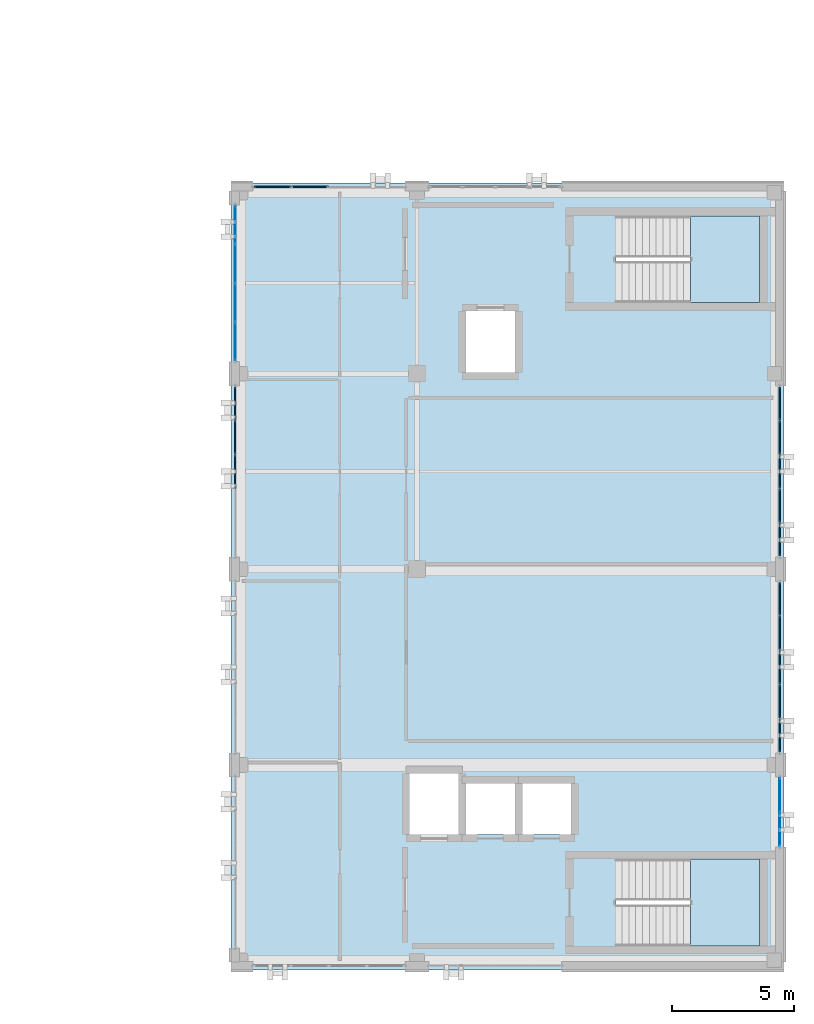
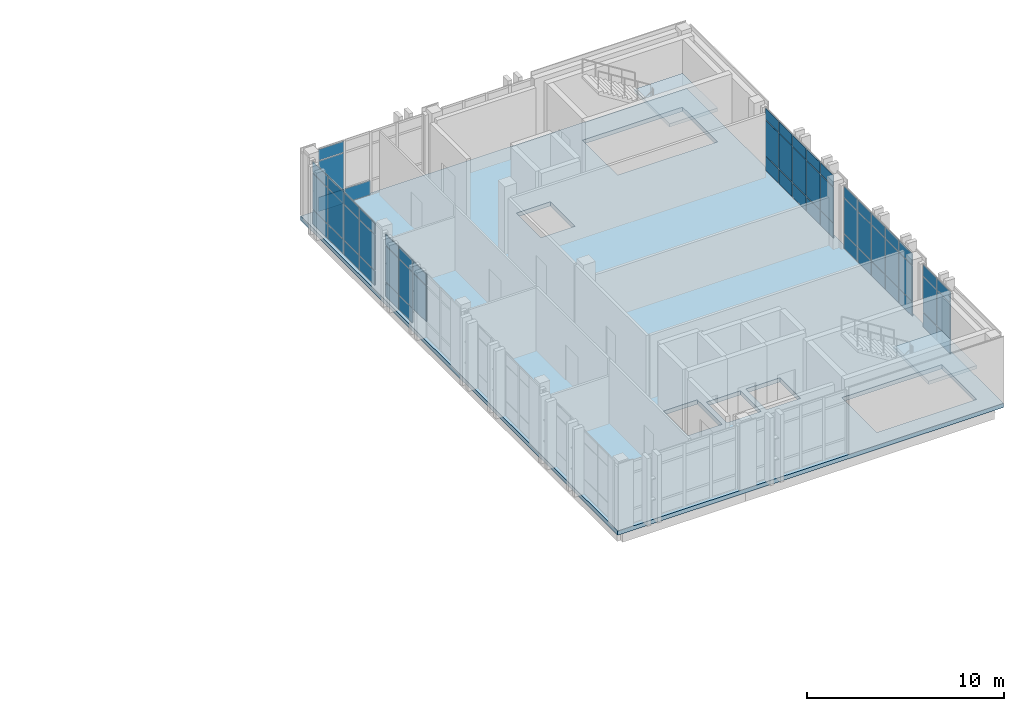
# One storey, part 15 of 22: 60 plates, 3 slabs, 8 elements without a shape of their own.
"""IFC4 building model written with IfcOpenShell, lengths in metres."""

from ifc_helpers import new_model, si_unit, direction, frame, origin, origin_2d, place, context, subcontext, project, spatial, polyline, rectangle, outline, extrude, material, layer, layer_set, type_object, element, aggregate, save


model = new_model("IFC4")

# Units and contexts
model_context = context("Model", 3, precision=1e-05, world=origin(), true_north=direction((0.0, 1.0)))
body_context = subcontext(model_context, "Body", "Model", "MODEL_VIEW")
ifc_project = project(units=[si_unit("LENGTHUNIT", "METRE"), si_unit("AREAUNIT", "SQUARE_METRE"), si_unit("VOLUMEUNIT", "CUBIC_METRE"), si_unit("PLANEANGLEUNIT", "RADIAN"), si_unit("MASSUNIT", "GRAM", prefix="KILO")], contexts=[model_context])

# Site, building, storey
site_placement = place(None, origin())
site = spatial("IfcSite", under=ifc_project, at=site_placement, CompositionType="ELEMENT")
building_placement = place(site_placement, origin())
building = spatial("IfcBuilding", under=site, at=building_placement, Name="Qalavern Law Courts", CompositionType="ELEMENT")
storey_placement = place(building_placement, frame((0.0, 0.0, 35.39990234375)))
storey = spatial("IfcBuildingStorey", under=building, at=storey_placement, Name="L08", CompositionType="ELEMENT", Elevation=35.39990234375)

# Curtain wall, plates
ifc_material_1 = material(Name="Anodised aluminium and insulated glazing", Category="aluminium")
ifc_layer_1 = layer(ifc_material_1, 0.159912109375)
ifc_layer_set_1 = layer_set([ifc_layer_1], Name="Anodised aluminium and insulated glazing")
curtain_wall_type = type_object("IfcCurtainWallType", Name="ENV-CW-CHAMB", PredefinedType="USERDEFINED", material=ifc_layer_set_1)
curtain_wall_1_placement = place(storey_placement, origin())
curtain_wall_1 = element("IfcCurtainWall", 1, at=curtain_wall_1_placement, inside=storey, type_object=curtain_wall_type, Name="V4 unitised curtain wall L08 east 1", ObjectType="UNITISED CURTAIN WALL", PredefinedType="USERDEFINED")
ifc_material_2 = material(Name="Insulated low-E acoustic glazing", Category="glass")
ifc_layer_2 = layer(ifc_material_2, 0.0400390625)
ifc_layer_set_2 = layer_set([ifc_layer_2], Name="Insulated low-E acoustic glazing")
plate_type_1 = type_object("IfcPlateType", Name="ENV-CWP-40", PredefinedType="CURTAIN_PANEL", material=ifc_layer_set_2)
plate_1_placement = place(storey_placement, frame((106.6298828125, 46.7744140625, 0.048095703125), z_axis=(0.0, 0.0, 1.0), x_axis=(0.0, 1.0, 0.0)))
plate_1 = element("IfcPlate", 2, at=plate_1_placement, type_object=plate_type_1, Name="CW-04 panel 1.1", PredefinedType="CURTAIN_PANEL", context=body_context, shape_type="SweptSolid", body=[
    extrude(rectangle(XDim=1.35302734375, YDim=0.0400390625, at=origin_2d()), origin(), (0.0, 0.0, 1.0), 0.8779296875),
])
plate_2_placement = place(storey_placement, frame((106.6298828125, 46.7744140625, 0.97412109375), z_axis=(0.0, 0.0, 1.0), x_axis=(0.0, 1.0, 0.0)))
plate_2 = element("IfcPlate", 3, at=plate_2_placement, type_object=plate_type_1, Name="CW-04 panel 1.2", PredefinedType="CURTAIN_PANEL", context=body_context, shape_type="SweptSolid", body=[
    extrude(rectangle(XDim=1.35302734375, YDim=0.0400390625, at=origin_2d()), origin(), (0.0, 0.0, 1.0), 2.197021484375),
])
plate_3_placement = place(storey_placement, frame((106.6298828125, 46.7744140625, 3.21923828125), z_axis=(0.0, 0.0, 1.0), x_axis=(0.0, 1.0, 0.0)))
plate_3 = element("IfcPlate", 4, at=plate_3_placement, type_object=plate_type_1, Name="CW-04 panel 1.3", PredefinedType="CURTAIN_PANEL", context=body_context, shape_type="SweptSolid", body=[
    extrude(rectangle(XDim=1.35302734375, YDim=0.0400390625, at=origin_2d()), origin(), (0.0, 0.0, 1.0), 0.677978515625),
])
plate_4_placement = place(storey_placement, frame((106.6298828125, 48.175537109375, 0.048095703125), z_axis=(0.0, 0.0, 1.0), x_axis=(0.0, 1.0, 0.0)))
plate_4 = element("IfcPlate", 5, at=plate_4_placement, type_object=plate_type_1, Name="CW-04 panel 2.1", PredefinedType="CURTAIN_PANEL", context=body_context, shape_type="SweptSolid", body=[
    extrude(rectangle(XDim=1.35302734375, YDim=0.0400390625, at=origin_2d()), origin(), (0.0, 0.0, 1.0), 0.8779296875),
])
plate_5_placement = place(storey_placement, frame((106.6298828125, 48.175537109375, 0.97412109375), z_axis=(0.0, 0.0, 1.0), x_axis=(0.0, 1.0, 0.0)))
plate_5 = element("IfcPlate", 6, at=plate_5_placement, type_object=plate_type_1, Name="CW-04 panel 2.2", PredefinedType="CURTAIN_PANEL", context=body_context, shape_type="SweptSolid", body=[
    extrude(rectangle(XDim=1.35302734375, YDim=0.0400390625, at=origin_2d()), origin(), (0.0, 0.0, 1.0), 2.197021484375),
])
plate_6_placement = place(storey_placement, frame((106.6298828125, 48.175537109375, 3.21923828125), z_axis=(0.0, 0.0, 1.0), x_axis=(0.0, 1.0, 0.0)))
plate_6 = element("IfcPlate", 7, at=plate_6_placement, type_object=plate_type_1, Name="CW-04 panel 2.3", PredefinedType="CURTAIN_PANEL", context=body_context, shape_type="SweptSolid", body=[
    extrude(rectangle(XDim=1.35302734375, YDim=0.0400390625, at=origin_2d()), origin(), (0.0, 0.0, 1.0), 0.677978515625),
])
aggregate(curtain_wall_1, [plate_1, plate_2, plate_3, plate_4, plate_5, plate_6])

curtain_wall_2_placement = place(storey_placement, origin())
curtain_wall_2 = element("IfcCurtainWall", 8, at=curtain_wall_2_placement, inside=storey, type_object=curtain_wall_type, Name="V4 unitised curtain wall L08 west 1", ObjectType="UNITISED CURTAIN WALL", PredefinedType="USERDEFINED")
plate_7_placement = place(storey_placement, frame((84.3701171875, 71.488037109375, 0.048095703125), z_axis=(0.0, 0.0, 1.0), x_axis=(0.0, -1.0, 0.0)))
plate_7 = element("IfcPlate", 9, at=plate_7_placement, type_object=plate_type_1, Name="CW-04 panel 1.1", PredefinedType="CURTAIN_PANEL", context=body_context, shape_type="SweptSolid", body=[
    extrude(rectangle(XDim=1.528076171875, YDim=0.0400390625, at=origin_2d()), origin(), (0.0, 0.0, 1.0), 0.8779296875),
])
plate_8_placement = place(storey_placement, frame((84.3701171875, 71.488037109375, 0.97412109375), z_axis=(0.0, 0.0, 1.0), x_axis=(0.0, -1.0, 0.0)))
plate_8 = element("IfcPlate", 10, at=plate_8_placement, type_object=plate_type_1, Name="CW-04 panel 1.2", PredefinedType="CURTAIN_PANEL", context=body_context, shape_type="SweptSolid", body=[
    extrude(rectangle(XDim=1.528076171875, YDim=0.0400390625, at=origin_2d()), origin(), (0.0, 0.0, 1.0), 2.197021484375),
])
plate_9_placement = place(storey_placement, frame((84.3701171875, 71.488037109375, 3.21923828125), z_axis=(0.0, 0.0, 1.0), x_axis=(0.0, -1.0, 0.0)))
plate_9 = element("IfcPlate", 11, at=plate_9_placement, type_object=plate_type_1, Name="CW-04 panel 1.3", PredefinedType="CURTAIN_PANEL", context=body_context, shape_type="SweptSolid", body=[
    extrude(rectangle(XDim=1.528076171875, YDim=0.0400390625, at=origin_2d()), origin(), (0.0, 0.0, 1.0), 0.677978515625),
])
plate_10_placement = place(storey_placement, frame((84.3701171875, 69.89990234375, 0.048095703125), z_axis=(0.0, 0.0, 1.0), x_axis=(0.0, -1.0, 0.0)))
plate_10 = element("IfcPlate", 12, at=plate_10_placement, type_object=plate_type_1, Name="CW-04 panel 2.1", PredefinedType="CURTAIN_PANEL", context=body_context, shape_type="SweptSolid", body=[
    extrude(rectangle(XDim=1.552001953125, YDim=0.0400390625, at=origin_2d()), origin(), (0.0, 0.0, 1.0), 0.8779296875),
])
plate_11_placement = place(storey_placement, frame((84.3701171875, 69.89990234375, 0.97412109375), z_axis=(0.0, 0.0, 1.0), x_axis=(0.0, -1.0, 0.0)))
plate_11 = element("IfcPlate", 13, at=plate_11_placement, type_object=plate_type_1, Name="CW-04 panel 2.2", PredefinedType="CURTAIN_PANEL", context=body_context, shape_type="SweptSolid", body=[
    extrude(rectangle(XDim=1.552001953125, YDim=0.0400390625, at=origin_2d()), origin(), (0.0, 0.0, 1.0), 2.197021484375),
])
plate_12_placement = place(storey_placement, frame((84.3701171875, 69.89990234375, 3.21923828125), z_axis=(0.0, 0.0, 1.0), x_axis=(0.0, -1.0, 0.0)))
plate_12 = element("IfcPlate", 14, at=plate_12_placement, type_object=plate_type_1, Name="CW-04 panel 2.3", PredefinedType="CURTAIN_PANEL", context=body_context, shape_type="SweptSolid", body=[
    extrude(rectangle(XDim=1.552001953125, YDim=0.0400390625, at=origin_2d()), origin(), (0.0, 0.0, 1.0), 0.677978515625),
])
plate_13_placement = place(storey_placement, frame((84.3701171875, 68.300048828125, 0.048095703125), z_axis=(0.0, 0.0, 1.0), x_axis=(0.0, -1.0, 0.0)))
plate_13 = element("IfcPlate", 15, at=plate_13_placement, type_object=plate_type_1, Name="CW-04 panel 3.1", PredefinedType="CURTAIN_PANEL", context=body_context, shape_type="SweptSolid", body=[
    extrude(rectangle(XDim=1.552001953125, YDim=0.0400390625, at=origin_2d()), origin(), (0.0, 0.0, 1.0), 0.8779296875),
])
plate_14_placement = place(storey_placement, frame((84.3701171875, 68.300048828125, 0.97412109375), z_axis=(0.0, 0.0, 1.0), x_axis=(0.0, -1.0, 0.0)))
plate_14 = element("IfcPlate", 16, at=plate_14_placement, type_object=plate_type_1, Name="CW-04 panel 3.2", PredefinedType="CURTAIN_PANEL", context=body_context, shape_type="SweptSolid", body=[
    extrude(rectangle(XDim=1.552001953125, YDim=0.0400390625, at=origin_2d()), origin(), (0.0, 0.0, 1.0), 2.197021484375),
])
plate_15_placement = place(storey_placement, frame((84.3701171875, 68.300048828125, 3.21923828125), z_axis=(0.0, 0.0, 1.0), x_axis=(0.0, -1.0, 0.0)))
plate_15 = element("IfcPlate", 17, at=plate_15_placement, type_object=plate_type_1, Name="CW-04 panel 3.3", PredefinedType="CURTAIN_PANEL", context=body_context, shape_type="SweptSolid", body=[
    extrude(rectangle(XDim=1.552001953125, YDim=0.0400390625, at=origin_2d()), origin(), (0.0, 0.0, 1.0), 0.677978515625),
])
plate_16_placement = place(storey_placement, frame((84.3701171875, 66.7119140625, 0.048095703125), z_axis=(0.0, 0.0, 1.0), x_axis=(0.0, -1.0, 0.0)))
plate_16 = element("IfcPlate", 18, at=plate_16_placement, type_object=plate_type_1, Name="CW-04 panel 4.1", PredefinedType="CURTAIN_PANEL", context=body_context, shape_type="SweptSolid", body=[
    extrude(rectangle(XDim=1.528076171875, YDim=0.0400390625, at=origin_2d()), origin(), (0.0, 0.0, 1.0), 0.8779296875),
])
plate_17_placement = place(storey_placement, frame((84.3701171875, 66.7119140625, 0.97412109375), z_axis=(0.0, 0.0, 1.0), x_axis=(0.0, -1.0, 0.0)))
plate_17 = element("IfcPlate", 19, at=plate_17_placement, type_object=plate_type_1, Name="CW-04 panel 4.2", PredefinedType="CURTAIN_PANEL", context=body_context, shape_type="SweptSolid", body=[
    extrude(rectangle(XDim=1.528076171875, YDim=0.0400390625, at=origin_2d()), origin(), (0.0, 0.0, 1.0), 2.197021484375),
])
plate_18_placement = place(storey_placement, frame((84.3701171875, 66.7119140625, 3.21923828125), z_axis=(0.0, 0.0, 1.0), x_axis=(0.0, -1.0, 0.0)))
plate_18 = element("IfcPlate", 20, at=plate_18_placement, type_object=plate_type_1, Name="CW-04 panel 4.3", PredefinedType="CURTAIN_PANEL", context=body_context, shape_type="SweptSolid", body=[
    extrude(rectangle(XDim=1.528076171875, YDim=0.0400390625, at=origin_2d()), origin(), (0.0, 0.0, 1.0), 0.677978515625),
])
aggregate(curtain_wall_2, [plate_7, plate_8, plate_9, plate_10, plate_11, plate_12, plate_13, plate_14, plate_15, plate_16, plate_17, plate_18])

curtain_wall_3_placement = place(storey_placement, origin())
curtain_wall_3 = element("IfcCurtainWall", 21, at=curtain_wall_3_placement, inside=storey, type_object=curtain_wall_type, Name="V4 unitised curtain wall L08 east 2", ObjectType="UNITISED CURTAIN WALL", PredefinedType="USERDEFINED")
ifc_layer_3 = layer(ifc_material_2, 0.0439453125)
ifc_layer_set_3 = layer_set([ifc_layer_3], Name="Insulated low-E acoustic glazing")
plate_type_2 = type_object("IfcPlateType", Name="ENV-CWP-44", PredefinedType="CURTAIN_PANEL", material=ifc_layer_set_3)
plate_19_placement = place(storey_placement, frame((106.6298828125, 50.612060546875, 0.048095703125), z_axis=(0.0, 0.0, 1.0), x_axis=(0.0, 1.0, 0.0)))
plate_19 = element("IfcPlate", 22, at=plate_19_placement, type_object=plate_type_2, Name="CW-04 panel 1.1", PredefinedType="CURTAIN_PANEL", context=body_context, shape_type="SweptSolid", body=[
    extrude(rectangle(XDim=1.327880859375, YDim=0.0439453125, at=origin_2d()), origin(), (0.0, 0.0, 1.0), 0.8779296875),
])
plate_20_placement = place(storey_placement, frame((106.6298828125, 50.612060546875, 0.97412109375), z_axis=(0.0, 0.0, 1.0), x_axis=(0.0, 1.0, 0.0)))
plate_20 = element("IfcPlate", 23, at=plate_20_placement, type_object=plate_type_2, Name="CW-04 panel 1.2", PredefinedType="CURTAIN_PANEL", context=body_context, shape_type="SweptSolid", body=[
    extrude(rectangle(XDim=1.327880859375, YDim=0.0439453125, at=origin_2d()), origin(), (0.0, 0.0, 1.0), 2.197021484375),
])
plate_21_placement = place(storey_placement, frame((106.6298828125, 50.612060546875, 3.21923828125), z_axis=(0.0, 0.0, 1.0), x_axis=(0.0, 1.0, 0.0)))
plate_21 = element("IfcPlate", 24, at=plate_21_placement, type_object=plate_type_2, Name="CW-04 panel 1.3", PredefinedType="CURTAIN_PANEL", context=body_context, shape_type="SweptSolid", body=[
    extrude(rectangle(XDim=1.327880859375, YDim=0.0439453125, at=origin_2d()), origin(), (0.0, 0.0, 1.0), 0.677978515625),
])
plate_22_placement = place(storey_placement, frame((106.6298828125, 52.0, 0.048095703125), z_axis=(0.0, 0.0, 1.0), x_axis=(0.0, 1.0, 0.0)))
plate_22 = element("IfcPlate", 25, at=plate_22_placement, type_object=plate_type_2, Name="CW-04 panel 2.1", PredefinedType="CURTAIN_PANEL", context=body_context, shape_type="SweptSolid", body=[
    extrude(rectangle(XDim=1.35205078125, YDim=0.0439453125, at=origin_2d()), origin(), (0.0, 0.0, 1.0), 0.8779296875),
])
plate_23_placement = place(storey_placement, frame((106.6298828125, 52.0, 0.97412109375), z_axis=(0.0, 0.0, 1.0), x_axis=(0.0, 1.0, 0.0)))
plate_23 = element("IfcPlate", 26, at=plate_23_placement, type_object=plate_type_2, Name="CW-04 panel 2.2", PredefinedType="CURTAIN_PANEL", context=body_context, shape_type="SweptSolid", body=[
    extrude(rectangle(XDim=1.35205078125, YDim=0.0439453125, at=origin_2d()), origin(), (0.0, 0.0, 1.0), 2.197021484375),
])
plate_24_placement = place(storey_placement, frame((106.6298828125, 52.0, 3.21923828125), z_axis=(0.0, 0.0, 1.0), x_axis=(0.0, 1.0, 0.0)))
plate_24 = element("IfcPlate", 27, at=plate_24_placement, type_object=plate_type_2, Name="CW-04 panel 2.3", PredefinedType="CURTAIN_PANEL", context=body_context, shape_type="SweptSolid", body=[
    extrude(rectangle(XDim=1.35205078125, YDim=0.0439453125, at=origin_2d()), origin(), (0.0, 0.0, 1.0), 0.677978515625),
])
plate_25_placement = place(storey_placement, frame((106.6298828125, 53.39990234375, 0.048095703125), z_axis=(0.0, 0.0, 1.0), x_axis=(0.0, 1.0, 0.0)))
plate_25 = element("IfcPlate", 28, at=plate_25_placement, type_object=plate_type_2, Name="CW-04 panel 3.1", PredefinedType="CURTAIN_PANEL", context=body_context, shape_type="SweptSolid", body=[
    extrude(rectangle(XDim=1.35205078125, YDim=0.0439453125, at=origin_2d()), origin(), (0.0, 0.0, 1.0), 0.8779296875),
])
plate_26_placement = place(storey_placement, frame((106.6298828125, 53.39990234375, 0.97412109375), z_axis=(0.0, 0.0, 1.0), x_axis=(0.0, 1.0, 0.0)))
plate_26 = element("IfcPlate", 29, at=plate_26_placement, type_object=plate_type_2, Name="CW-04 panel 3.2", PredefinedType="CURTAIN_PANEL", context=body_context, shape_type="SweptSolid", body=[
    extrude(rectangle(XDim=1.35205078125, YDim=0.0439453125, at=origin_2d()), origin(), (0.0, 0.0, 1.0), 2.197021484375),
])
plate_27_placement = place(storey_placement, frame((106.6298828125, 53.39990234375, 3.21923828125), z_axis=(0.0, 0.0, 1.0), x_axis=(0.0, 1.0, 0.0)))
plate_27 = element("IfcPlate", 30, at=plate_27_placement, type_object=plate_type_2, Name="CW-04 panel 3.3", PredefinedType="CURTAIN_PANEL", context=body_context, shape_type="SweptSolid", body=[
    extrude(rectangle(XDim=1.35205078125, YDim=0.0439453125, at=origin_2d()), origin(), (0.0, 0.0, 1.0), 0.677978515625),
])
plate_28_placement = place(storey_placement, frame((106.6298828125, 54.800048828125, 0.048095703125), z_axis=(0.0, 0.0, 1.0), x_axis=(0.0, 1.0, 0.0)))
plate_28 = element("IfcPlate", 31, at=plate_28_placement, type_object=plate_type_2, Name="CW-04 panel 4.1", PredefinedType="CURTAIN_PANEL", context=body_context, shape_type="SweptSolid", body=[
    extrude(rectangle(XDim=1.35205078125, YDim=0.0439453125, at=origin_2d()), origin(), (0.0, 0.0, 1.0), 0.8779296875),
])
plate_29_placement = place(storey_placement, frame((106.6298828125, 54.800048828125, 0.97412109375), z_axis=(0.0, 0.0, 1.0), x_axis=(0.0, 1.0, 0.0)))
plate_29 = element("IfcPlate", 32, at=plate_29_placement, type_object=plate_type_2, Name="CW-04 panel 4.2", PredefinedType="CURTAIN_PANEL", context=body_context, shape_type="SweptSolid", body=[
    extrude(rectangle(XDim=1.35205078125, YDim=0.0439453125, at=origin_2d()), origin(), (0.0, 0.0, 1.0), 2.197021484375),
])
plate_30_placement = place(storey_placement, frame((106.6298828125, 54.800048828125, 3.21923828125), z_axis=(0.0, 0.0, 1.0), x_axis=(0.0, 1.0, 0.0)))
plate_30 = element("IfcPlate", 33, at=plate_30_placement, type_object=plate_type_2, Name="CW-04 panel 4.3", PredefinedType="CURTAIN_PANEL", context=body_context, shape_type="SweptSolid", body=[
    extrude(rectangle(XDim=1.35205078125, YDim=0.0439453125, at=origin_2d()), origin(), (0.0, 0.0, 1.0), 0.677978515625),
])
plate_31_placement = place(storey_placement, frame((106.6298828125, 56.18798828125, 0.048095703125), z_axis=(0.0, 0.0, 1.0), x_axis=(0.0, 1.0, 0.0)))
plate_31 = element("IfcPlate", 34, at=plate_31_placement, type_object=plate_type_2, Name="CW-04 panel 5.1", PredefinedType="CURTAIN_PANEL", context=body_context, shape_type="SweptSolid", body=[
    extrude(rectangle(XDim=1.327880859375, YDim=0.0439453125, at=origin_2d()), origin(), (0.0, 0.0, 1.0), 0.8779296875),
])
plate_32_placement = place(storey_placement, frame((106.6298828125, 56.18798828125, 0.97412109375), z_axis=(0.0, 0.0, 1.0), x_axis=(0.0, 1.0, 0.0)))
plate_32 = element("IfcPlate", 35, at=plate_32_placement, type_object=plate_type_2, Name="CW-04 panel 5.2", PredefinedType="CURTAIN_PANEL", context=body_context, shape_type="SweptSolid", body=[
    extrude(rectangle(XDim=1.327880859375, YDim=0.0439453125, at=origin_2d()), origin(), (0.0, 0.0, 1.0), 2.197021484375),
])
plate_33_placement = place(storey_placement, frame((106.6298828125, 56.18798828125, 3.21923828125), z_axis=(0.0, 0.0, 1.0), x_axis=(0.0, 1.0, 0.0)))
plate_33 = element("IfcPlate", 36, at=plate_33_placement, type_object=plate_type_2, Name="CW-04 panel 5.3", PredefinedType="CURTAIN_PANEL", context=body_context, shape_type="SweptSolid", body=[
    extrude(rectangle(XDim=1.327880859375, YDim=0.0439453125, at=origin_2d()), origin(), (0.0, 0.0, 1.0), 0.677978515625),
])
aggregate(curtain_wall_3, [plate_19, plate_20, plate_21, plate_22, plate_23, plate_24, plate_25, plate_26, plate_27, plate_28, plate_29, plate_30, plate_31, plate_32, plate_33])

curtain_wall_4_placement = place(storey_placement, origin())
curtain_wall_4 = element("IfcCurtainWall", 37, at=curtain_wall_4_placement, inside=storey, type_object=curtain_wall_type, Name="V4 unitised curtain wall L08 north 2", ObjectType="UNITISED CURTAIN WALL", PredefinedType="USERDEFINED")
plate_34_placement = place(storey_placement, frame((87.425048828125, 73.030029296875, 0.048095703125), z_axis=(0.0, 0.0, 1.0), x_axis=(-1.0, 0.0, 0.0)))
plate_34 = element("IfcPlate", 38, at=plate_34_placement, type_object=plate_type_2, Name="CW-04 panel 3.1", PredefinedType="CURTAIN_PANEL", context=body_context, shape_type="SweptSolid", body=[
    extrude(rectangle(XDim=1.501953125, YDim=0.0439453125, at=origin_2d()), origin(), (0.0, 0.0, 1.0), 0.8779296875),
])
plate_35_placement = place(storey_placement, frame((85.886962890625, 73.030029296875, 0.048095703125), z_axis=(0.0, 0.0, 1.0), x_axis=(-1.0, 0.0, 0.0)))
plate_35 = element("IfcPlate", 39, at=plate_35_placement, type_object=plate_type_2, Name="CW-04 panel 4.1", PredefinedType="CURTAIN_PANEL", context=body_context, shape_type="SweptSolid", body=[
    extrude(rectangle(XDim=1.47802734375, YDim=0.0439453125, at=origin_2d()), origin(), (0.0, 0.0, 1.0), 0.8779296875),
])
plate_36_placement = place(storey_placement, frame((85.886962890625, 73.030029296875, 0.97412109375), z_axis=(0.0, 0.0, 1.0), x_axis=(-1.0, 0.0, 0.0)))
plate_36 = element("IfcPlate", 40, at=plate_36_placement, type_object=plate_type_2, Name="CW-04 panel 4.2", PredefinedType="CURTAIN_PANEL", context=body_context, shape_type="SweptSolid", body=[
    extrude(rectangle(XDim=1.47802734375, YDim=0.0439453125, at=origin_2d()), origin(), (0.0, 0.0, 1.0), 2.197021484375),
])
plate_37_placement = place(storey_placement, frame((85.886962890625, 73.030029296875, 3.21923828125), z_axis=(0.0, 0.0, 1.0), x_axis=(-1.0, 0.0, 0.0)))
plate_37 = element("IfcPlate", 41, at=plate_37_placement, type_object=plate_type_2, Name="CW-04 panel 4.3", PredefinedType="CURTAIN_PANEL", context=body_context, shape_type="SweptSolid", body=[
    extrude(rectangle(XDim=1.47802734375, YDim=0.0439453125, at=origin_2d()), origin(), (0.0, 0.0, 1.0), 0.677978515625),
])
aggregate(curtain_wall_4, [plate_34, plate_35, plate_36, plate_37])

curtain_wall_5_placement = place(storey_placement, origin())
curtain_wall_5 = element("IfcCurtainWall", 42, at=curtain_wall_5_placement, inside=storey, type_object=curtain_wall_type, Name="V4 unitised curtain wall L08 west 2", ObjectType="UNITISED CURTAIN WALL", PredefinedType="USERDEFINED")
plate_38_placement = place(storey_placement, frame((84.3701171875, 64.18798828125, 0.048095703125), z_axis=(0.0, 0.0, 1.0), x_axis=(0.0, -1.0, 0.0)))
plate_38 = element("IfcPlate", 43, at=plate_38_placement, type_object=plate_type_2, Name="CW-04 panel 1.1", PredefinedType="CURTAIN_PANEL", context=body_context, shape_type="SweptSolid", body=[
    extrude(rectangle(XDim=1.327880859375, YDim=0.0439453125, at=origin_2d()), origin(), (0.0, 0.0, 1.0), 0.8779296875),
])
plate_39_placement = place(storey_placement, frame((84.3701171875, 64.18798828125, 0.97412109375), z_axis=(0.0, 0.0, 1.0), x_axis=(0.0, -1.0, 0.0)))
plate_39 = element("IfcPlate", 44, at=plate_39_placement, type_object=plate_type_2, Name="CW-04 panel 1.2", PredefinedType="CURTAIN_PANEL", context=body_context, shape_type="SweptSolid", body=[
    extrude(rectangle(XDim=1.327880859375, YDim=0.0439453125, at=origin_2d()), origin(), (0.0, 0.0, 1.0), 2.197021484375),
])
plate_40_placement = place(storey_placement, frame((84.3701171875, 64.18798828125, 3.21923828125), z_axis=(0.0, 0.0, 1.0), x_axis=(0.0, -1.0, 0.0)))
plate_40 = element("IfcPlate", 45, at=plate_40_placement, type_object=plate_type_2, Name="CW-04 panel 1.3", PredefinedType="CURTAIN_PANEL", context=body_context, shape_type="SweptSolid", body=[
    extrude(rectangle(XDim=1.327880859375, YDim=0.0439453125, at=origin_2d()), origin(), (0.0, 0.0, 1.0), 0.677978515625),
])
plate_41_placement = place(storey_placement, frame((84.3701171875, 62.800048828125, 0.048095703125), z_axis=(0.0, 0.0, 1.0), x_axis=(0.0, -1.0, 0.0)))
plate_41 = element("IfcPlate", 46, at=plate_41_placement, type_object=plate_type_2, Name="CW-04 panel 2.1", PredefinedType="CURTAIN_PANEL", context=body_context, shape_type="SweptSolid", body=[
    extrude(rectangle(XDim=1.35205078125, YDim=0.0439453125, at=origin_2d()), origin(), (0.0, 0.0, 1.0), 0.8779296875),
])
plate_42_placement = place(storey_placement, frame((84.3701171875, 62.800048828125, 0.97412109375), z_axis=(0.0, 0.0, 1.0), x_axis=(0.0, -1.0, 0.0)))
plate_42 = element("IfcPlate", 47, at=plate_42_placement, type_object=plate_type_2, Name="CW-04 panel 2.2", PredefinedType="CURTAIN_PANEL", context=body_context, shape_type="SweptSolid", body=[
    extrude(rectangle(XDim=1.35205078125, YDim=0.0439453125, at=origin_2d()), origin(), (0.0, 0.0, 1.0), 2.197021484375),
])
plate_43_placement = place(storey_placement, frame((84.3701171875, 62.800048828125, 3.21923828125), z_axis=(0.0, 0.0, 1.0), x_axis=(0.0, -1.0, 0.0)))
plate_43 = element("IfcPlate", 48, at=plate_43_placement, type_object=plate_type_2, Name="CW-04 panel 2.3", PredefinedType="CURTAIN_PANEL", context=body_context, shape_type="SweptSolid", body=[
    extrude(rectangle(XDim=1.35205078125, YDim=0.0439453125, at=origin_2d()), origin(), (0.0, 0.0, 1.0), 0.677978515625),
])
plate_44_placement = place(storey_placement, frame((84.3701171875, 61.39990234375, 0.97412109375), z_axis=(0.0, 0.0, 1.0), x_axis=(0.0, -1.0, 0.0)))
plate_44 = element("IfcPlate", 49, at=plate_44_placement, type_object=plate_type_2, Name="CW-04 panel 3.2", PredefinedType="CURTAIN_PANEL", context=body_context, shape_type="SweptSolid", body=[
    extrude(rectangle(XDim=1.35205078125, YDim=0.0439453125, at=origin_2d()), origin(), (0.0, 0.0, 1.0), 2.197021484375),
])
plate_45_placement = place(storey_placement, frame((84.3701171875, 61.39990234375, 3.21923828125), z_axis=(0.0, 0.0, 1.0), x_axis=(0.0, -1.0, 0.0)))
plate_45 = element("IfcPlate", 50, at=plate_45_placement, type_object=plate_type_2, Name="CW-04 panel 3.3", PredefinedType="CURTAIN_PANEL", context=body_context, shape_type="SweptSolid", body=[
    extrude(rectangle(XDim=1.35205078125, YDim=0.0439453125, at=origin_2d()), origin(), (0.0, 0.0, 1.0), 0.677978515625),
])
aggregate(curtain_wall_5, [plate_38, plate_39, plate_40, plate_41, plate_42, plate_43, plate_44, plate_45])

curtain_wall_6_placement = place(storey_placement, origin())
curtain_wall_6 = element("IfcCurtainWall", 51, at=curtain_wall_6_placement, inside=storey, type_object=curtain_wall_type, Name="V4 unitised curtain wall L08 east 3", ObjectType="UNITISED CURTAIN WALL", PredefinedType="USERDEFINED")
ifc_layer_4 = layer(ifc_material_2, 0.048095703125)
ifc_layer_set_4 = layer_set([ifc_layer_4], Name="Insulated low-E acoustic glazing")
plate_type_3 = type_object("IfcPlateType", Name="ENV-CWP-48", PredefinedType="CURTAIN_PANEL", material=ifc_layer_set_4)
plate_46_placement = place(storey_placement, frame((106.6298828125, 58.612060546875, 0.048095703125), z_axis=(0.0, 0.0, 1.0), x_axis=(0.0, 1.0, 0.0)))
plate_46 = element("IfcPlate", 52, at=plate_46_placement, type_object=plate_type_3, Name="CW-04 panel 1.1", PredefinedType="CURTAIN_PANEL", context=body_context, shape_type="SweptSolid", body=[
    extrude(rectangle(XDim=1.327880859375, YDim=0.048095703125, at=origin_2d()), origin(), (0.0, 0.0, 1.0), 0.8779296875),
])
plate_47_placement = place(storey_placement, frame((106.6298828125, 58.612060546875, 0.97412109375), z_axis=(0.0, 0.0, 1.0), x_axis=(0.0, 1.0, 0.0)))
plate_47 = element("IfcPlate", 53, at=plate_47_placement, type_object=plate_type_3, Name="CW-04 panel 1.2", PredefinedType="CURTAIN_PANEL", context=body_context, shape_type="SweptSolid", body=[
    extrude(rectangle(XDim=1.327880859375, YDim=0.048095703125, at=origin_2d()), origin(), (0.0, 0.0, 1.0), 2.197021484375),
])
plate_48_placement = place(storey_placement, frame((106.6298828125, 58.612060546875, 3.21923828125), z_axis=(0.0, 0.0, 1.0), x_axis=(0.0, 1.0, 0.0)))
plate_48 = element("IfcPlate", 54, at=plate_48_placement, type_object=plate_type_3, Name="CW-04 panel 1.3", PredefinedType="CURTAIN_PANEL", context=body_context, shape_type="SweptSolid", body=[
    extrude(rectangle(XDim=1.327880859375, YDim=0.048095703125, at=origin_2d()), origin(), (0.0, 0.0, 1.0), 0.677978515625),
])
plate_49_placement = place(storey_placement, frame((106.6298828125, 60.0, 0.048095703125), z_axis=(0.0, 0.0, 1.0), x_axis=(0.0, 1.0, 0.0)))
plate_49 = element("IfcPlate", 55, at=plate_49_placement, type_object=plate_type_3, Name="CW-04 panel 2.1", PredefinedType="CURTAIN_PANEL", context=body_context, shape_type="SweptSolid", body=[
    extrude(rectangle(XDim=1.35205078125, YDim=0.048095703125, at=origin_2d()), origin(), (0.0, 0.0, 1.0), 0.8779296875),
])
plate_50_placement = place(storey_placement, frame((106.6298828125, 60.0, 0.97412109375), z_axis=(0.0, 0.0, 1.0), x_axis=(0.0, 1.0, 0.0)))
plate_50 = element("IfcPlate", 56, at=plate_50_placement, type_object=plate_type_3, Name="CW-04 panel 2.2", PredefinedType="CURTAIN_PANEL", context=body_context, shape_type="SweptSolid", body=[
    extrude(rectangle(XDim=1.35205078125, YDim=0.048095703125, at=origin_2d()), origin(), (0.0, 0.0, 1.0), 2.197021484375),
])
plate_51_placement = place(storey_placement, frame((106.6298828125, 60.0, 3.21923828125), z_axis=(0.0, 0.0, 1.0), x_axis=(0.0, 1.0, 0.0)))
plate_51 = element("IfcPlate", 57, at=plate_51_placement, type_object=plate_type_3, Name="CW-04 panel 2.3", PredefinedType="CURTAIN_PANEL", context=body_context, shape_type="SweptSolid", body=[
    extrude(rectangle(XDim=1.35205078125, YDim=0.048095703125, at=origin_2d()), origin(), (0.0, 0.0, 1.0), 0.677978515625),
])
plate_52_placement = place(storey_placement, frame((106.6298828125, 61.39990234375, 0.048095703125), z_axis=(0.0, 0.0, 1.0), x_axis=(0.0, 1.0, 0.0)))
plate_52 = element("IfcPlate", 58, at=plate_52_placement, type_object=plate_type_3, Name="CW-04 panel 3.1", PredefinedType="CURTAIN_PANEL", context=body_context, shape_type="SweptSolid", body=[
    extrude(rectangle(XDim=1.35205078125, YDim=0.048095703125, at=origin_2d()), origin(), (0.0, 0.0, 1.0), 0.8779296875),
])
plate_53_placement = place(storey_placement, frame((106.6298828125, 61.39990234375, 0.97412109375), z_axis=(0.0, 0.0, 1.0), x_axis=(0.0, 1.0, 0.0)))
plate_53 = element("IfcPlate", 59, at=plate_53_placement, type_object=plate_type_3, Name="CW-04 panel 3.2", PredefinedType="CURTAIN_PANEL", context=body_context, shape_type="SweptSolid", body=[
    extrude(rectangle(XDim=1.35205078125, YDim=0.048095703125, at=origin_2d()), origin(), (0.0, 0.0, 1.0), 2.197021484375),
])
plate_54_placement = place(storey_placement, frame((106.6298828125, 61.39990234375, 3.21923828125), z_axis=(0.0, 0.0, 1.0), x_axis=(0.0, 1.0, 0.0)))
plate_54 = element("IfcPlate", 60, at=plate_54_placement, type_object=plate_type_3, Name="CW-04 panel 3.3", PredefinedType="CURTAIN_PANEL", context=body_context, shape_type="SweptSolid", body=[
    extrude(rectangle(XDim=1.35205078125, YDim=0.048095703125, at=origin_2d()), origin(), (0.0, 0.0, 1.0), 0.677978515625),
])
plate_55_placement = place(storey_placement, frame((106.6298828125, 62.800048828125, 0.048095703125), z_axis=(0.0, 0.0, 1.0), x_axis=(0.0, 1.0, 0.0)))
plate_55 = element("IfcPlate", 61, at=plate_55_placement, type_object=plate_type_3, Name="CW-04 panel 4.1", PredefinedType="CURTAIN_PANEL", context=body_context, shape_type="SweptSolid", body=[
    extrude(rectangle(XDim=1.35205078125, YDim=0.048095703125, at=origin_2d()), origin(), (0.0, 0.0, 1.0), 0.8779296875),
])
plate_56_placement = place(storey_placement, frame((106.6298828125, 62.800048828125, 0.97412109375), z_axis=(0.0, 0.0, 1.0), x_axis=(0.0, 1.0, 0.0)))
plate_56 = element("IfcPlate", 62, at=plate_56_placement, type_object=plate_type_3, Name="CW-04 panel 4.2", PredefinedType="CURTAIN_PANEL", context=body_context, shape_type="SweptSolid", body=[
    extrude(rectangle(XDim=1.35205078125, YDim=0.048095703125, at=origin_2d()), origin(), (0.0, 0.0, 1.0), 2.197021484375),
])
plate_57_placement = place(storey_placement, frame((106.6298828125, 62.800048828125, 3.21923828125), z_axis=(0.0, 0.0, 1.0), x_axis=(0.0, 1.0, 0.0)))
plate_57 = element("IfcPlate", 63, at=plate_57_placement, type_object=plate_type_3, Name="CW-04 panel 4.3", PredefinedType="CURTAIN_PANEL", context=body_context, shape_type="SweptSolid", body=[
    extrude(rectangle(XDim=1.35205078125, YDim=0.048095703125, at=origin_2d()), origin(), (0.0, 0.0, 1.0), 0.677978515625),
])
plate_58_placement = place(storey_placement, frame((106.6298828125, 64.18798828125, 0.048095703125), z_axis=(0.0, 0.0, 1.0), x_axis=(0.0, 1.0, 0.0)))
plate_58 = element("IfcPlate", 64, at=plate_58_placement, type_object=plate_type_3, Name="CW-04 panel 5.1", PredefinedType="CURTAIN_PANEL", context=body_context, shape_type="SweptSolid", body=[
    extrude(rectangle(XDim=1.327880859375, YDim=0.048095703125, at=origin_2d()), origin(), (0.0, 0.0, 1.0), 0.8779296875),
])
plate_59_placement = place(storey_placement, frame((106.6298828125, 64.18798828125, 0.97412109375), z_axis=(0.0, 0.0, 1.0), x_axis=(0.0, 1.0, 0.0)))
plate_59 = element("IfcPlate", 65, at=plate_59_placement, type_object=plate_type_3, Name="CW-04 panel 5.2", PredefinedType="CURTAIN_PANEL", context=body_context, shape_type="SweptSolid", body=[
    extrude(rectangle(XDim=1.327880859375, YDim=0.048095703125, at=origin_2d()), origin(), (0.0, 0.0, 1.0), 2.197021484375),
])
plate_60_placement = place(storey_placement, frame((106.6298828125, 64.18798828125, 3.21923828125), z_axis=(0.0, 0.0, 1.0), x_axis=(0.0, 1.0, 0.0)))
plate_60 = element("IfcPlate", 66, at=plate_60_placement, type_object=plate_type_3, Name="CW-04 panel 5.3", PredefinedType="CURTAIN_PANEL", context=body_context, shape_type="SweptSolid", body=[
    extrude(rectangle(XDim=1.327880859375, YDim=0.048095703125, at=origin_2d()), origin(), (0.0, 0.0, 1.0), 0.677978515625),
])
aggregate(curtain_wall_6, [plate_46, plate_47, plate_48, plate_49, plate_50, plate_51, plate_52, plate_53, plate_54, plate_55, plate_56, plate_57, plate_58, plate_59, plate_60])

# Stair, slab
ifc_material_3 = material(Name="Concrete C35/45", Category="concrete")
stair_type = type_object("IfcStairType", Name="INT-STAIR-1700", PredefinedType="HALF_TURN_STAIR", material=ifc_material_3)
stair_1_placement = place(storey_placement, origin())
stair_1 = element("IfcStair", 67, at=stair_1_placement, inside=storey, type_object=stair_type, Name="L08 ST-K1A", PredefinedType="HALF_TURN_STAIR")
ifc_layer_5 = layer(ifc_material_3, 0.199951171875)
ifc_layer_set_5 = layer_set([ifc_layer_5], Name="Concrete C35/45")
slab_type_1 = type_object("IfcSlabType", Name="INT-LANDING-200", PredefinedType="LANDING", material=ifc_layer_set_5)
slab_1_placement = place(storey_placement, frame((0.0, 0.0, 1.900146484375)))
slab_1 = element("IfcSlab", 68, at=slab_1_placement, type_object=slab_type_1, Name="ST-K1A landing 1", PredefinedType="LANDING", context=body_context, shape_type="SweptSolid", body=[
    extrude(outline(polyline([(102.97998046875, 42.0), (105.800048828125, 42.0), (105.800048828125, 45.550048828125), (102.97998046875, 45.550048828125), (102.97998046875, 42.0)])), origin(), (0.0, 0.0, 1.0), 0.199951171875),
])
aggregate(stair_1, [slab_1])

stair_2_placement = place(storey_placement, origin())
stair_2 = element("IfcStair", 69, at=stair_2_placement, inside=storey, type_object=stair_type, Name="L08 ST-K1B", PredefinedType="HALF_TURN_STAIR")
slab_2_placement = place(storey_placement, frame((0.0, 0.0, 1.900146484375)))
slab_2 = element("IfcSlab", 70, at=slab_2_placement, type_object=slab_type_1, Name="ST-K1B landing 1", PredefinedType="LANDING", context=body_context, shape_type="SweptSolid", body=[
    extrude(outline(polyline([(102.97998046875, 68.300048828125), (105.800048828125, 68.300048828125), (105.800048828125, 71.85009765625), (102.97998046875, 71.85009765625), (102.97998046875, 68.300048828125)])), origin(), (0.0, 0.0, 1.0), 0.199951171875),
])
aggregate(stair_2, [slab_2])

# Slab
ifc_layer_6 = layer(ifc_material_3, 0.260009765625)
ifc_layer_set_6 = layer_set([ifc_layer_6], Name="Concrete C35/45")
slab_type_2 = type_object("IfcSlabType", Name="STR-SLB-L08-260", PredefinedType="FLOOR", material=ifc_layer_set_6)
slab_3_placement = place(storey_placement, frame((0.0, 0.0, -0.260009765625)))
element("IfcSlab", 71, at=slab_3_placement, inside=storey, type_object=slab_type_2, Name="V4 floor slab L08", PredefinedType="FLOOR", context=body_context, shape_type="SweptSolid", body=[
    extrude(outline(polyline([(84.199951171875, 41.02001953125), (106.800048828125, 41.02001953125), (106.800048828125, 73.199951171875), (84.199951171875, 73.199951171875), (84.199951171875, 41.02001953125)]), holes=[polyline([(99.93994140625, 42.0), (105.800048828125, 42.0), (105.800048828125, 45.550048828125), (99.93994140625, 45.550048828125), (99.93994140625, 42.0)]), polyline([(91.5, 46.550048828125), (93.5, 46.550048828125), (93.5, 49.050048828125), (91.5, 49.050048828125), (91.5, 46.550048828125)]), polyline([(93.800048828125, 46.550048828125), (95.800048828125, 46.550048828125), (95.800048828125, 48.64990234375), (93.800048828125, 48.64990234375), (93.800048828125, 46.550048828125)]), polyline([(96.10009765625, 46.550048828125), (98.10009765625, 46.550048828125), (98.10009765625, 48.64990234375), (96.10009765625, 48.64990234375), (96.10009765625, 46.550048828125)]), polyline([(99.93994140625, 68.300048828125), (105.800048828125, 68.300048828125), (105.800048828125, 71.85009765625), (99.93994140625, 71.85009765625), (99.93994140625, 68.300048828125)]), polyline([(93.800048828125, 65.449951171875), (95.800048828125, 65.449951171875), (95.800048828125, 67.949951171875), (93.800048828125, 67.949951171875), (93.800048828125, 65.449951171875)])]), origin(), (0.0, 0.0, 1.0), 0.260009765625),
])

save(model, "model.ifc")
